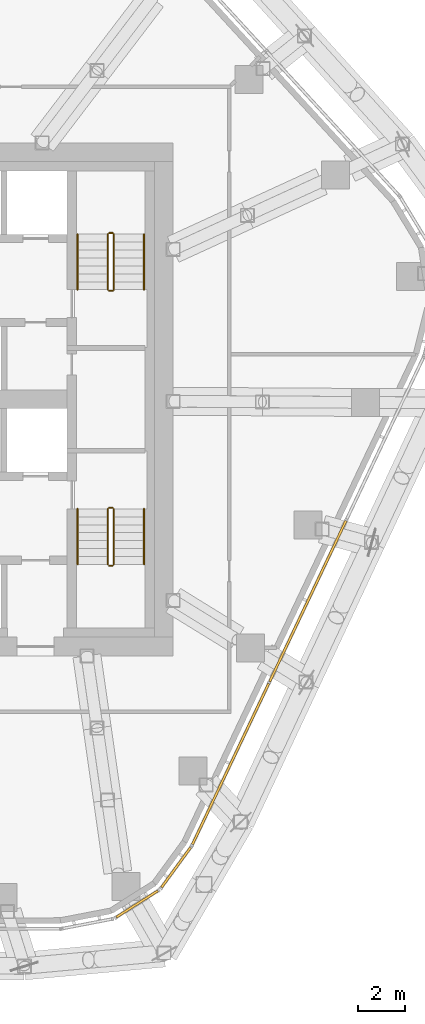
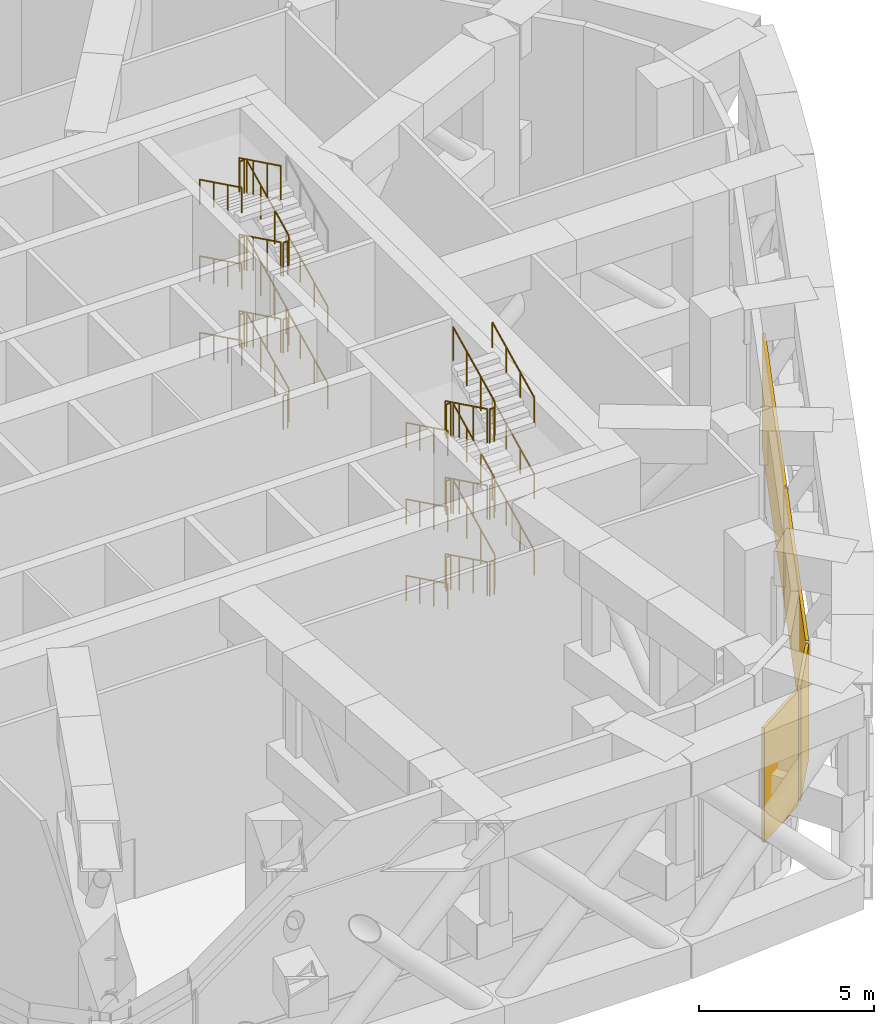
# One storey, part 20 of 21: 35 railings, 4 coverings, 2 elements without a shape of their own.
"""IFC4 building model written with IfcOpenShell, lengths in metres."""

from ifc_helpers import new_model, si_unit, direction, frame, origin, origin_2d, place, context, subcontext, project, spatial, rectangle, circle, extrude, material, layer, layer_set, type_object, element, aggregate, save


model = new_model("IFC4")

# Units and contexts
model_context = context("Model", 3, precision=1e-05, world=origin(), true_north=direction((0.0, 1.0)))
body_context = subcontext(model_context, "Body", "Model", "MODEL_VIEW")
ifc_project = project(units=[si_unit("LENGTHUNIT", "METRE"), si_unit("AREAUNIT", "SQUARE_METRE"), si_unit("VOLUMEUNIT", "CUBIC_METRE"), si_unit("PLANEANGLEUNIT", "RADIAN"), si_unit("MASSUNIT", "GRAM", prefix="KILO")], contexts=[model_context])

# Site, building, storey
site_placement = place(None, origin())
site = spatial("IfcSite", under=ifc_project, at=site_placement, CompositionType="ELEMENT")
building_placement = place(site_placement, origin())
building = spatial("IfcBuilding", under=site, at=building_placement, Name="Dongbaek Canopy Tower", CompositionType="ELEMENT")
storey_placement = place(building_placement, frame((0.0, 0.0, 220.60009765625)))
storey = spatial("IfcBuildingStorey", under=building, at=storey_placement, Name="L46", CompositionType="ELEMENT", Elevation=220.60009765625)

# Curtain wall, coverings
ifc_material_1 = material(Name="Aluminium 6063-T6 pale anodised", Category="aluminium")
ifc_layer_1 = layer(ifc_material_1, 0.14990234375)
ifc_layer_set_1 = layer_set([ifc_layer_1], Name="CW-7 louvre curtain wall")
curtain_wall_type = type_object("IfcCurtainWallType", Name="CW-7 louvre curtain wall", PredefinedType="NOTDEFINED", material=ifc_layer_set_1)
curtain_wall_1_placement = place(storey_placement, origin())
curtain_wall_1 = element("IfcCurtainWall", 1, at=curtain_wall_1_placement, inside=storey, type_object=curtain_wall_type, Name="CW-7 louvre wall L46 K5", PredefinedType="NOTDEFINED")
ifc_material_2 = material(Name="Aluminium 6063-T6 pale metal louvre blades", Category="aluminium")
ifc_layer_2 = layer(ifc_material_2, 0.10009765625)
ifc_layer_set_2 = layer_set([ifc_layer_2], Name="Louvre LV bank 100 x 4000")
covering_type = type_object("IfcCoveringType", Name="Louvre LV bank 100 x 4000", PredefinedType="CLADDING", material=ifc_layer_set_2)
covering_1_placement = place(storey_placement, frame((12.44970703125, -21.64306640625, 1.77490234375), z_axis=(0.0, 0.0, 1.0), x_axis=(0.844315490886, 0.535846388296, 0.0)))
covering_1 = element("IfcCovering", 2, at=covering_1_placement, type_object=covering_type, Name="Louvre L46 K5.2.1", PredefinedType="CLADDING", context=body_context, shape_type="SweptSolid", body=[
    extrude(rectangle(XDim=2.108642578125, YDim=0.10009765625, at=origin_2d()), origin(), (0.0, 0.0, 1.0), 4.0),
])
covering_2_placement = place(storey_placement, frame((14.123779296875, -20.072998046875, 1.77490234375), z_axis=(0.0, 0.0, 1.0), x_axis=(0.589427714231, 0.807821124814, 0.0)))
covering_2 = element("IfcCovering", 3, at=covering_2_placement, type_object=covering_type, Name="Louvre L46 K5.3.1", PredefinedType="CLADDING", context=body_context, shape_type="SweptSolid", body=[
    extrude(rectangle(XDim=2.1181640625, YDim=0.10009765625, at=origin_2d()), origin(), (0.0, 0.0, 1.0), 4.0),
])
aggregate(curtain_wall_1, [covering_1, covering_2])

curtain_wall_2_placement = place(storey_placement, origin())
curtain_wall_2 = element("IfcCurtainWall", 4, at=curtain_wall_2_placement, inside=storey, type_object=curtain_wall_type, Name="CW-7 louvre wall L46 F5", PredefinedType="NOTDEFINED")
covering_3_placement = place(storey_placement, frame((16.463134765625, -15.635498046875, 1.77490234375), z_axis=(0.0, 0.0, 1.0), x_axis=(0.428545293248, 0.903520299515, 0.0)))
covering_3 = element("IfcCovering", 5, at=covering_3_placement, type_object=covering_type, Name="Louvre L46 F5.1.1", PredefinedType="CLADDING", context=body_context, shape_type="SweptSolid", body=[
    extrude(rectangle(XDim=7.6337890625, YDim=0.10009765625, at=origin_2d()), origin(), (0.0, 0.0, 1.0), 4.0),
])
covering_4_placement = place(storey_placement, frame((19.77294921875, -8.656982421875, 1.77490234375), z_axis=(0.0, 0.0, 1.0), x_axis=(0.428545293248, 0.903520299515, 0.0)))
covering_4 = element("IfcCovering", 6, at=covering_4_placement, type_object=covering_type, Name="Louvre L46 F5.1.2", PredefinedType="CLADDING", context=body_context, shape_type="SweptSolid", body=[
    extrude(rectangle(XDim=7.6337890625, YDim=0.10009765625, at=origin_2d()), origin(), (0.0, 0.0, 1.0), 4.0),
])
aggregate(curtain_wall_2, [covering_3, covering_4])

# Railings
ifc_material_3 = material(Name="Stainless steel tube and balusters", Category="steel")
railing_type_1 = type_object("IfcRailingType", Name="Stair guard 1200", PredefinedType="GUARDRAIL", material=ifc_material_3)
railing_1_placement = place(storey_placement, frame((11.449951171875, 4.699951171875, 0.16650390625)))
element("IfcRailing", 7, at=railing_1_placement, inside=storey, type_object=railing_type_1, Name="L46 ST-A stair guard 1", PredefinedType="GUARDRAIL", context=body_context, shape_type="SweptSolid", body=[
    extrude(circle(Radius=0.02392578125, at=origin_2d()), frame((0.0, 0.0, 1.17578125), z_axis=(0.0, 0.897917867668, 0.440163041295), x_axis=(-1.0, 0.0, 0.0)), (0.0, 0.0, 1.0), 2.650634765625),
    extrude(circle(Radius=0.02099609375, at=origin_2d()), origin(), (0.0, 0.0, 1.0), 1.15185546875),
    extrude(circle(Radius=0.02099609375, at=origin_2d()), frame((0.0, 0.79345703125, 0.388916015625)), (0.0, 0.0, 1.0), 1.15185546875),
    extrude(circle(Radius=0.02099609375, at=origin_2d()), frame((0.0, 1.586669921875, 0.77783203125)), (0.0, 0.0, 1.0), 1.15185546875),
    extrude(circle(Radius=0.02099609375, at=origin_2d()), frame((0.0, 2.380126953125, 1.166748046875)), (0.0, 0.0, 1.0), 1.15185546875),
])
railing_2_placement = place(storey_placement, frame((11.39990234375, 7.1298828125, 1.333251953125)))
element("IfcRailing", 8, at=railing_2_placement, inside=storey, type_object=railing_type_1, Name="L46 ST-A stair guard 2", PredefinedType="GUARDRAIL", context=body_context, shape_type="SweptSolid", body=[
    extrude(circle(Radius=0.02392578125, at=origin_2d()), frame((0.0, 0.0, 1.17578125), z_axis=(-1.0, 0.0, 0.0), x_axis=(0.0, -1.0, 0.0)), (0.0, 0.0, 1.0), 0.14990234375),
    extrude(circle(Radius=0.02099609375, at=origin_2d()), origin(), (0.0, 0.0, 1.0), 1.15185546875),
    extrude(circle(Radius=0.02099609375, at=origin_2d()), frame((-0.14990234375, 0.0, 0.0)), (0.0, 0.0, 1.0), 1.15185546875),
])
railing_3_placement = place(storey_placement, frame((11.199951171875, 7.080078125, 1.5)))
element("IfcRailing", 9, at=railing_3_placement, inside=storey, type_object=railing_type_1, Name="L46 ST-A stair guard 3", PredefinedType="GUARDRAIL", context=body_context, shape_type="SweptSolid", body=[
    extrude(circle(Radius=0.02392578125, at=origin_2d()), frame((0.0, 0.0, 1.17578125), z_axis=(0.0, -0.897954268197, 0.440088777664), x_axis=(1.0, 0.0, 0.0)), (0.0, 0.0, 1.0), 2.650634765625),
    extrude(circle(Radius=0.02099609375, at=origin_2d()), origin(), (0.0, 0.0, 1.0), 1.15185546875),
    extrude(circle(Radius=0.02099609375, at=origin_2d()), frame((0.0, -0.79345703125, 0.388916015625)), (0.0, 0.0, 1.0), 1.15185546875),
    extrude(circle(Radius=0.02099609375, at=origin_2d()), frame((0.0, -1.586669921875, 0.777587890625)), (0.0, 0.0, 1.0), 1.15185546875),
    extrude(circle(Radius=0.02099609375, at=origin_2d()), frame((0.0, -2.380126953125, 1.16650390625)), (0.0, 0.0, 1.0), 1.15185546875),
])
railing_4_placement = place(storey_placement, frame((11.39990234375, 4.64990234375, 2.66650390625)))
element("IfcRailing", 10, at=railing_4_placement, inside=storey, type_object=railing_type_1, Name="L46 ST-A stair guard 4", PredefinedType="GUARDRAIL", context=body_context, shape_type="SweptSolid", body=[
    extrude(circle(Radius=0.02392578125, at=origin_2d()), frame((0.0, 0.0, 1.17578125), z_axis=(-1.0, 0.0, 0.0), x_axis=(0.0, -1.0, 0.0)), (0.0, 0.0, 1.0), 0.14990234375),
    extrude(circle(Radius=0.02099609375, at=origin_2d()), origin(), (0.0, 0.0, 1.0), 1.15185546875),
    extrude(circle(Radius=0.02099609375, at=origin_2d()), frame((-0.14990234375, 0.0, 0.0)), (0.0, 0.0, 1.0), 1.15185546875),
])
railing_5_placement = place(storey_placement, frame((11.449951171875, 4.699951171875, 2.833251953125)))
element("IfcRailing", 11, at=railing_5_placement, inside=storey, type_object=railing_type_1, Name="L46 ST-A stair guard 5", PredefinedType="GUARDRAIL", context=body_context, shape_type="SweptSolid", body=[
    extrude(circle(Radius=0.02392578125, at=origin_2d()), frame((0.0, 0.0, 1.17578125), z_axis=(0.0, 0.897917867668, 0.440163041295), x_axis=(-1.0, 0.0, 0.0)), (0.0, 0.0, 1.0), 2.650634765625),
    extrude(circle(Radius=0.02099609375, at=origin_2d()), origin(), (0.0, 0.0, 1.0), 1.15185546875),
    extrude(circle(Radius=0.02099609375, at=origin_2d()), frame((0.0, 0.79345703125, 0.388916015625)), (0.0, 0.0, 1.0), 1.15185546875),
    extrude(circle(Radius=0.02099609375, at=origin_2d()), frame((0.0, 1.586669921875, 0.77783203125)), (0.0, 0.0, 1.0), 1.15185546875),
    extrude(circle(Radius=0.02099609375, at=origin_2d()), frame((0.0, 2.380126953125, 1.166748046875)), (0.0, 0.0, 1.0), 1.15185546875),
])
railing_6_placement = place(storey_placement, frame((11.39990234375, 7.1298828125, 4.0)))
element("IfcRailing", 12, at=railing_6_placement, inside=storey, type_object=railing_type_1, Name="L46 ST-A stair guard 6", PredefinedType="GUARDRAIL", context=body_context, shape_type="SweptSolid", body=[
    extrude(circle(Radius=0.02392578125, at=origin_2d()), frame((0.0, 0.0, 1.17578125), z_axis=(-1.0, 0.0, 0.0), x_axis=(0.0, -1.0, 0.0)), (0.0, 0.0, 1.0), 0.14990234375),
    extrude(circle(Radius=0.02099609375, at=origin_2d()), origin(), (0.0, 0.0, 1.0), 1.15185546875),
    extrude(circle(Radius=0.02099609375, at=origin_2d()), frame((-0.14990234375, 0.0, 0.0)), (0.0, 0.0, 1.0), 1.15185546875),
])
railing_7_placement = place(storey_placement, frame((11.199951171875, 7.080078125, 4.16650390625)))
element("IfcRailing", 13, at=railing_7_placement, inside=storey, type_object=railing_type_1, Name="L46 ST-A stair guard 7", PredefinedType="GUARDRAIL", context=body_context, shape_type="SweptSolid", body=[
    extrude(circle(Radius=0.02392578125, at=origin_2d()), frame((0.0, 0.0, 1.17578125), z_axis=(0.0, -0.897917867668, 0.440163041295), x_axis=(1.0, 0.0, 0.0)), (0.0, 0.0, 1.0), 2.650634765625),
    extrude(circle(Radius=0.02099609375, at=origin_2d()), origin(), (0.0, 0.0, 1.0), 1.15185546875),
    extrude(circle(Radius=0.02099609375, at=origin_2d()), frame((0.0, -0.79345703125, 0.388916015625)), (0.0, 0.0, 1.0), 1.15185546875),
    extrude(circle(Radius=0.02099609375, at=origin_2d()), frame((0.0, -1.586669921875, 0.77783203125)), (0.0, 0.0, 1.0), 1.15185546875),
    extrude(circle(Radius=0.02099609375, at=origin_2d()), frame((0.0, -2.380126953125, 1.166748046875)), (0.0, 0.0, 1.0), 1.15185546875),
])
railing_8_placement = place(storey_placement, frame((11.39990234375, 4.64990234375, 5.333251953125)))
element("IfcRailing", 14, at=railing_8_placement, inside=storey, type_object=railing_type_1, Name="L46 ST-A stair guard 8", PredefinedType="GUARDRAIL", context=body_context, shape_type="SweptSolid", body=[
    extrude(circle(Radius=0.02392578125, at=origin_2d()), frame((0.0, 0.0, 1.17578125), z_axis=(-1.0, 0.0, 0.0), x_axis=(0.0, -1.0, 0.0)), (0.0, 0.0, 1.0), 0.14990234375),
    extrude(circle(Radius=0.02099609375, at=origin_2d()), origin(), (0.0, 0.0, 1.0), 1.15185546875),
    extrude(circle(Radius=0.02099609375, at=origin_2d()), frame((-0.14990234375, 0.0, 0.0)), (0.0, 0.0, 1.0), 1.15185546875),
])
railing_9_placement = place(storey_placement, frame((11.449951171875, 4.699951171875, 5.5)))
element("IfcRailing", 15, at=railing_9_placement, inside=storey, type_object=railing_type_1, Name="L46 ST-A stair guard 9", PredefinedType="GUARDRAIL", context=body_context, shape_type="SweptSolid", body=[
    extrude(circle(Radius=0.02392578125, at=origin_2d()), frame((0.0, 0.0, 1.17578125), z_axis=(0.0, 0.897954268197, 0.440088777664), x_axis=(-1.0, 0.0, 0.0)), (0.0, 0.0, 1.0), 2.650634765625),
    extrude(circle(Radius=0.02099609375, at=origin_2d()), origin(), (0.0, 0.0, 1.0), 1.15185546875),
    extrude(circle(Radius=0.02099609375, at=origin_2d()), frame((0.0, 0.79345703125, 0.388916015625)), (0.0, 0.0, 1.0), 1.15185546875),
    extrude(circle(Radius=0.02099609375, at=origin_2d()), frame((0.0, 1.586669921875, 0.777587890625)), (0.0, 0.0, 1.0), 1.15185546875),
    extrude(circle(Radius=0.02099609375, at=origin_2d()), frame((0.0, 2.380126953125, 1.16650390625)), (0.0, 0.0, 1.0), 1.15185546875),
])
railing_10_placement = place(storey_placement, frame((11.39990234375, 7.1298828125, 6.66650390625)))
element("IfcRailing", 16, at=railing_10_placement, inside=storey, type_object=railing_type_1, Name="L46 ST-A stair guard 10", PredefinedType="GUARDRAIL", context=body_context, shape_type="SweptSolid", body=[
    extrude(circle(Radius=0.02392578125, at=origin_2d()), frame((0.0, 0.0, 1.17578125), z_axis=(-1.0, 0.0, 0.0), x_axis=(0.0, -1.0, 0.0)), (0.0, 0.0, 1.0), 0.14990234375),
    extrude(circle(Radius=0.02099609375, at=origin_2d()), origin(), (0.0, 0.0, 1.0), 1.15185546875),
    extrude(circle(Radius=0.02099609375, at=origin_2d()), frame((-0.14990234375, 0.0, 0.0)), (0.0, 0.0, 1.0), 1.15185546875),
])
railing_11_placement = place(storey_placement, frame((11.199951171875, 7.080078125, 6.833251953125)))
element("IfcRailing", 17, at=railing_11_placement, inside=storey, type_object=railing_type_1, Name="L46 ST-A stair guard 11", PredefinedType="GUARDRAIL", context=body_context, shape_type="SweptSolid", body=[
    extrude(circle(Radius=0.02392578125, at=origin_2d()), frame((0.0, 0.0, 1.17578125), z_axis=(0.0, -0.897917867668, 0.440163041295), x_axis=(1.0, 0.0, 0.0)), (0.0, 0.0, 1.0), 2.650634765625),
    extrude(circle(Radius=0.02099609375, at=origin_2d()), origin(), (0.0, 0.0, 1.0), 1.15185546875),
    extrude(circle(Radius=0.02099609375, at=origin_2d()), frame((0.0, -0.79345703125, 0.388916015625)), (0.0, 0.0, 1.0), 1.15185546875),
    extrude(circle(Radius=0.02099609375, at=origin_2d()), frame((0.0, -1.586669921875, 0.77783203125)), (0.0, 0.0, 1.0), 1.15185546875),
    extrude(circle(Radius=0.02099609375, at=origin_2d()), frame((0.0, -2.380126953125, 1.166748046875)), (0.0, 0.0, 1.0), 1.15185546875),
])
railing_12_placement = place(storey_placement, frame((11.39990234375, 4.64990234375, 0.0)))
element("IfcRailing", 18, at=railing_12_placement, inside=storey, type_object=railing_type_1, Name="L46 ST-A stair guard 12", PredefinedType="GUARDRAIL", context=body_context, shape_type="SweptSolid", body=[
    extrude(circle(Radius=0.02392578125, at=origin_2d()), frame((0.0, 0.0, 1.17578125), z_axis=(-1.0, 0.0, 0.0), x_axis=(0.0, -1.0, 0.0)), (0.0, 0.0, 1.0), 0.14990234375),
    extrude(circle(Radius=0.02099609375, at=origin_2d()), origin(), (0.0, 0.0, 1.0), 1.15185546875),
    extrude(circle(Radius=0.02099609375, at=origin_2d()), frame((-0.14990234375, 0.0, 0.0)), (0.0, 0.0, 1.0), 1.15185546875),
])
railing_13_placement = place(storey_placement, frame((11.199951171875, -4.699951171875, 0.16650390625)))
element("IfcRailing", 19, at=railing_13_placement, inside=storey, type_object=railing_type_1, Name="L46 ST-B stair guard 1", PredefinedType="GUARDRAIL", context=body_context, shape_type="SweptSolid", body=[
    extrude(circle(Radius=0.02392578125, at=origin_2d()), frame((0.0, 0.0, 1.17578125), z_axis=(0.0, -0.897917867668, 0.440163041295), x_axis=(1.0, 0.0, 0.0)), (0.0, 0.0, 1.0), 2.650634765625),
    extrude(circle(Radius=0.02099609375, at=origin_2d()), origin(), (0.0, 0.0, 1.0), 1.15185546875),
    extrude(circle(Radius=0.02099609375, at=origin_2d()), frame((0.0, -0.79345703125, 0.388916015625)), (0.0, 0.0, 1.0), 1.15185546875),
    extrude(circle(Radius=0.02099609375, at=origin_2d()), frame((0.0, -1.586669921875, 0.77783203125)), (0.0, 0.0, 1.0), 1.15185546875),
    extrude(circle(Radius=0.02099609375, at=origin_2d()), frame((0.0, -2.380126953125, 1.166748046875)), (0.0, 0.0, 1.0), 1.15185546875),
])
railing_14_placement = place(storey_placement, frame((11.25, -7.1298828125, 1.333251953125)))
element("IfcRailing", 20, at=railing_14_placement, inside=storey, type_object=railing_type_1, Name="L46 ST-B stair guard 2", PredefinedType="GUARDRAIL", context=body_context, shape_type="SweptSolid", body=[
    extrude(circle(Radius=0.02392578125, at=origin_2d()), frame((0.0, 0.0, 1.17578125), z_axis=(1.0, 0.0, 0.0), x_axis=(0.0, 1.0, 0.0)), (0.0, 0.0, 1.0), 0.14990234375),
    extrude(circle(Radius=0.02099609375, at=origin_2d()), origin(), (0.0, 0.0, 1.0), 1.15185546875),
    extrude(circle(Radius=0.02099609375, at=origin_2d()), frame((0.14990234375, 0.0, 0.0)), (0.0, 0.0, 1.0), 1.15185546875),
])
railing_15_placement = place(storey_placement, frame((11.449951171875, -7.080078125, 1.5)))
element("IfcRailing", 21, at=railing_15_placement, inside=storey, type_object=railing_type_1, Name="L46 ST-B stair guard 3", PredefinedType="GUARDRAIL", context=body_context, shape_type="SweptSolid", body=[
    extrude(circle(Radius=0.02392578125, at=origin_2d()), frame((0.0, 0.0, 1.17578125), z_axis=(0.0, 0.897954268197, 0.440088777664), x_axis=(-1.0, 0.0, 0.0)), (0.0, 0.0, 1.0), 2.650634765625),
    extrude(circle(Radius=0.02099609375, at=origin_2d()), origin(), (0.0, 0.0, 1.0), 1.15185546875),
    extrude(circle(Radius=0.02099609375, at=origin_2d()), frame((0.0, 0.79345703125, 0.388916015625)), (0.0, 0.0, 1.0), 1.15185546875),
    extrude(circle(Radius=0.02099609375, at=origin_2d()), frame((0.0, 1.586669921875, 0.777587890625)), (0.0, 0.0, 1.0), 1.15185546875),
    extrude(circle(Radius=0.02099609375, at=origin_2d()), frame((0.0, 2.380126953125, 1.16650390625)), (0.0, 0.0, 1.0), 1.15185546875),
])
railing_16_placement = place(storey_placement, frame((11.25, -4.64990234375, 2.66650390625)))
element("IfcRailing", 22, at=railing_16_placement, inside=storey, type_object=railing_type_1, Name="L46 ST-B stair guard 4", PredefinedType="GUARDRAIL", context=body_context, shape_type="SweptSolid", body=[
    extrude(circle(Radius=0.02392578125, at=origin_2d()), frame((0.0, 0.0, 1.17578125), z_axis=(1.0, 0.0, 0.0), x_axis=(0.0, 1.0, 0.0)), (0.0, 0.0, 1.0), 0.14990234375),
    extrude(circle(Radius=0.02099609375, at=origin_2d()), origin(), (0.0, 0.0, 1.0), 1.15185546875),
    extrude(circle(Radius=0.02099609375, at=origin_2d()), frame((0.14990234375, 0.0, 0.0)), (0.0, 0.0, 1.0), 1.15185546875),
])
railing_17_placement = place(storey_placement, frame((11.199951171875, -4.699951171875, 2.833251953125)))
element("IfcRailing", 23, at=railing_17_placement, inside=storey, type_object=railing_type_1, Name="L46 ST-B stair guard 5", PredefinedType="GUARDRAIL", context=body_context, shape_type="SweptSolid", body=[
    extrude(circle(Radius=0.02392578125, at=origin_2d()), frame((0.0, 0.0, 1.17578125), z_axis=(0.0, -0.897917867668, 0.440163041295), x_axis=(1.0, 0.0, 0.0)), (0.0, 0.0, 1.0), 2.650634765625),
    extrude(circle(Radius=0.02099609375, at=origin_2d()), origin(), (0.0, 0.0, 1.0), 1.15185546875),
    extrude(circle(Radius=0.02099609375, at=origin_2d()), frame((0.0, -0.79345703125, 0.388916015625)), (0.0, 0.0, 1.0), 1.15185546875),
    extrude(circle(Radius=0.02099609375, at=origin_2d()), frame((0.0, -1.586669921875, 0.77783203125)), (0.0, 0.0, 1.0), 1.15185546875),
    extrude(circle(Radius=0.02099609375, at=origin_2d()), frame((0.0, -2.380126953125, 1.166748046875)), (0.0, 0.0, 1.0), 1.15185546875),
])
railing_18_placement = place(storey_placement, frame((11.25, -7.1298828125, 4.0)))
element("IfcRailing", 24, at=railing_18_placement, inside=storey, type_object=railing_type_1, Name="L46 ST-B stair guard 6", PredefinedType="GUARDRAIL", context=body_context, shape_type="SweptSolid", body=[
    extrude(circle(Radius=0.02392578125, at=origin_2d()), frame((0.0, 0.0, 1.17578125), z_axis=(1.0, 0.0, 0.0), x_axis=(0.0, 1.0, 0.0)), (0.0, 0.0, 1.0), 0.14990234375),
    extrude(circle(Radius=0.02099609375, at=origin_2d()), origin(), (0.0, 0.0, 1.0), 1.15185546875),
    extrude(circle(Radius=0.02099609375, at=origin_2d()), frame((0.14990234375, 0.0, 0.0)), (0.0, 0.0, 1.0), 1.15185546875),
])
railing_19_placement = place(storey_placement, frame((11.449951171875, -7.080078125, 4.16650390625)))
element("IfcRailing", 25, at=railing_19_placement, inside=storey, type_object=railing_type_1, Name="L46 ST-B stair guard 7", PredefinedType="GUARDRAIL", context=body_context, shape_type="SweptSolid", body=[
    extrude(circle(Radius=0.02392578125, at=origin_2d()), frame((0.0, 0.0, 1.17578125), z_axis=(0.0, 0.897917867668, 0.440163041295), x_axis=(-1.0, 0.0, 0.0)), (0.0, 0.0, 1.0), 2.650634765625),
    extrude(circle(Radius=0.02099609375, at=origin_2d()), origin(), (0.0, 0.0, 1.0), 1.15185546875),
    extrude(circle(Radius=0.02099609375, at=origin_2d()), frame((0.0, 0.79345703125, 0.388916015625)), (0.0, 0.0, 1.0), 1.15185546875),
    extrude(circle(Radius=0.02099609375, at=origin_2d()), frame((0.0, 1.586669921875, 0.77783203125)), (0.0, 0.0, 1.0), 1.15185546875),
    extrude(circle(Radius=0.02099609375, at=origin_2d()), frame((0.0, 2.380126953125, 1.166748046875)), (0.0, 0.0, 1.0), 1.15185546875),
])
railing_20_placement = place(storey_placement, frame((11.25, -4.64990234375, 5.333251953125)))
element("IfcRailing", 26, at=railing_20_placement, inside=storey, type_object=railing_type_1, Name="L46 ST-B stair guard 8", PredefinedType="GUARDRAIL", context=body_context, shape_type="SweptSolid", body=[
    extrude(circle(Radius=0.02392578125, at=origin_2d()), frame((0.0, 0.0, 1.17578125), z_axis=(1.0, 0.0, 0.0), x_axis=(0.0, 1.0, 0.0)), (0.0, 0.0, 1.0), 0.14990234375),
    extrude(circle(Radius=0.02099609375, at=origin_2d()), origin(), (0.0, 0.0, 1.0), 1.15185546875),
    extrude(circle(Radius=0.02099609375, at=origin_2d()), frame((0.14990234375, 0.0, 0.0)), (0.0, 0.0, 1.0), 1.15185546875),
])
railing_21_placement = place(storey_placement, frame((11.199951171875, -4.699951171875, 5.5)))
element("IfcRailing", 27, at=railing_21_placement, inside=storey, type_object=railing_type_1, Name="L46 ST-B stair guard 9", PredefinedType="GUARDRAIL", context=body_context, shape_type="SweptSolid", body=[
    extrude(circle(Radius=0.02392578125, at=origin_2d()), frame((0.0, 0.0, 1.17578125), z_axis=(0.0, -0.897954268197, 0.440088777664), x_axis=(1.0, 0.0, 0.0)), (0.0, 0.0, 1.0), 2.650634765625),
    extrude(circle(Radius=0.02099609375, at=origin_2d()), origin(), (0.0, 0.0, 1.0), 1.15185546875),
    extrude(circle(Radius=0.02099609375, at=origin_2d()), frame((0.0, -0.79345703125, 0.388916015625)), (0.0, 0.0, 1.0), 1.15185546875),
    extrude(circle(Radius=0.02099609375, at=origin_2d()), frame((0.0, -1.586669921875, 0.777587890625)), (0.0, 0.0, 1.0), 1.15185546875),
    extrude(circle(Radius=0.02099609375, at=origin_2d()), frame((0.0, -2.380126953125, 1.16650390625)), (0.0, 0.0, 1.0), 1.15185546875),
])
railing_22_placement = place(storey_placement, frame((11.25, -7.1298828125, 6.66650390625)))
element("IfcRailing", 28, at=railing_22_placement, inside=storey, type_object=railing_type_1, Name="L46 ST-B stair guard 10", PredefinedType="GUARDRAIL", context=body_context, shape_type="SweptSolid", body=[
    extrude(circle(Radius=0.02392578125, at=origin_2d()), frame((0.0, 0.0, 1.17578125), z_axis=(1.0, 0.0, 0.0), x_axis=(0.0, 1.0, 0.0)), (0.0, 0.0, 1.0), 0.14990234375),
    extrude(circle(Radius=0.02099609375, at=origin_2d()), origin(), (0.0, 0.0, 1.0), 1.15185546875),
    extrude(circle(Radius=0.02099609375, at=origin_2d()), frame((0.14990234375, 0.0, 0.0)), (0.0, 0.0, 1.0), 1.15185546875),
])
railing_23_placement = place(storey_placement, frame((11.449951171875, -7.080078125, 6.833251953125)))
element("IfcRailing", 29, at=railing_23_placement, inside=storey, type_object=railing_type_1, Name="L46 ST-B stair guard 11", PredefinedType="GUARDRAIL", context=body_context, shape_type="SweptSolid", body=[
    extrude(circle(Radius=0.02392578125, at=origin_2d()), frame((0.0, 0.0, 1.17578125), z_axis=(0.0, 0.897917867668, 0.440163041295), x_axis=(-1.0, 0.0, 0.0)), (0.0, 0.0, 1.0), 2.650634765625),
    extrude(circle(Radius=0.02099609375, at=origin_2d()), origin(), (0.0, 0.0, 1.0), 1.15185546875),
    extrude(circle(Radius=0.02099609375, at=origin_2d()), frame((0.0, 0.79345703125, 0.388916015625)), (0.0, 0.0, 1.0), 1.15185546875),
    extrude(circle(Radius=0.02099609375, at=origin_2d()), frame((0.0, 1.586669921875, 0.77783203125)), (0.0, 0.0, 1.0), 1.15185546875),
    extrude(circle(Radius=0.02099609375, at=origin_2d()), frame((0.0, 2.380126953125, 1.166748046875)), (0.0, 0.0, 1.0), 1.15185546875),
])
railing_24_placement = place(storey_placement, frame((11.25, -4.64990234375, 0.0)))
element("IfcRailing", 30, at=railing_24_placement, inside=storey, type_object=railing_type_1, Name="L46 ST-B stair guard 12", PredefinedType="GUARDRAIL", context=body_context, shape_type="SweptSolid", body=[
    extrude(circle(Radius=0.02392578125, at=origin_2d()), frame((0.0, 0.0, 1.17578125), z_axis=(1.0, 0.0, 0.0), x_axis=(0.0, 1.0, 0.0)), (0.0, 0.0, 1.0), 0.14990234375),
    extrude(circle(Radius=0.02099609375, at=origin_2d()), origin(), (0.0, 0.0, 1.0), 1.15185546875),
    extrude(circle(Radius=0.02099609375, at=origin_2d()), frame((0.14990234375, 0.0, 0.0)), (0.0, 0.0, 1.0), 1.15185546875),
])
ifc_material_4 = material(Name="Stainless steel tube", Category="steel")
railing_type_2 = type_object("IfcRailingType", Name="Stair handrail 900", PredefinedType="HANDRAIL", material=ifc_material_4)
railing_25_placement = place(storey_placement, frame((12.75, 4.699951171875, 0.16650390625)))
element("IfcRailing", 31, at=railing_25_placement, inside=storey, type_object=railing_type_2, Name="L46 ST-A stair handrail 1", PredefinedType="HANDRAIL", context=body_context, shape_type="SweptSolid", body=[
    extrude(circle(Radius=0.02392578125, at=origin_2d()), frame((0.0, 0.0, 0.8759765625), z_axis=(0.0, 0.897917867668, 0.440163041295), x_axis=(-1.0, 0.0, 0.0)), (0.0, 0.0, 1.0), 2.650634765625),
    extrude(circle(Radius=0.02099609375, at=origin_2d()), origin(), (0.0, 0.0, 1.0), 0.851806640625),
    extrude(circle(Radius=0.02099609375, at=origin_2d()), frame((0.0, 0.79345703125, 0.388916015625)), (0.0, 0.0, 1.0), 0.851806640625),
    extrude(circle(Radius=0.02099609375, at=origin_2d()), frame((0.0, 1.586669921875, 0.77783203125)), (0.0, 0.0, 1.0), 0.851806640625),
    extrude(circle(Radius=0.02099609375, at=origin_2d()), frame((0.0, 2.380126953125, 1.166748046875)), (0.0, 0.0, 1.0), 0.851806640625),
])
railing_26_placement = place(storey_placement, frame((9.89990234375, 7.080078125, 1.5)))
element("IfcRailing", 32, at=railing_26_placement, inside=storey, type_object=railing_type_2, Name="L46 ST-A stair handrail 2", PredefinedType="HANDRAIL", context=body_context, shape_type="SweptSolid", body=[
    extrude(circle(Radius=0.02392578125, at=origin_2d()), frame((0.0, 0.0, 0.8759765625), z_axis=(0.0, -0.897954268197, 0.440088777664), x_axis=(1.0, 0.0, 0.0)), (0.0, 0.0, 1.0), 2.650634765625),
    extrude(circle(Radius=0.02099609375, at=origin_2d()), origin(), (0.0, 0.0, 1.0), 0.851806640625),
    extrude(circle(Radius=0.02099609375, at=origin_2d()), frame((0.0, -0.79345703125, 0.388916015625)), (0.0, 0.0, 1.0), 0.851806640625),
    extrude(circle(Radius=0.02099609375, at=origin_2d()), frame((0.0, -1.586669921875, 0.777587890625)), (0.0, 0.0, 1.0), 0.851806640625),
    extrude(circle(Radius=0.02099609375, at=origin_2d()), frame((0.0, -2.380126953125, 1.16650390625)), (0.0, 0.0, 1.0), 0.851806640625),
])
railing_27_placement = place(storey_placement, frame((12.75, 4.699951171875, 2.833251953125)))
element("IfcRailing", 33, at=railing_27_placement, inside=storey, type_object=railing_type_2, Name="L46 ST-A stair handrail 3", PredefinedType="HANDRAIL", context=body_context, shape_type="SweptSolid", body=[
    extrude(circle(Radius=0.02392578125, at=origin_2d()), frame((0.0, 0.0, 0.8759765625), z_axis=(0.0, 0.897917867668, 0.440163041295), x_axis=(-1.0, 0.0, 0.0)), (0.0, 0.0, 1.0), 2.650634765625),
    extrude(circle(Radius=0.02099609375, at=origin_2d()), origin(), (0.0, 0.0, 1.0), 0.851806640625),
    extrude(circle(Radius=0.02099609375, at=origin_2d()), frame((0.0, 0.79345703125, 0.388916015625)), (0.0, 0.0, 1.0), 0.851806640625),
    extrude(circle(Radius=0.02099609375, at=origin_2d()), frame((0.0, 1.586669921875, 0.77783203125)), (0.0, 0.0, 1.0), 0.851806640625),
    extrude(circle(Radius=0.02099609375, at=origin_2d()), frame((0.0, 2.380126953125, 1.166748046875)), (0.0, 0.0, 1.0), 0.851806640625),
])
for number, where, name in (
    (34, (9.89990234375, 7.080078125, 4.16650390625), "L46 ST-A stair handrail 4"),
    (35, (9.89990234375, 7.080078125, 6.833251953125), "L46 ST-A stair handrail 6"),
    (36, (9.89990234375, -4.699951171875, 0.16650390625), "L46 ST-B stair handrail 1"),
):
    element("IfcRailing", number, at=place(storey_placement, frame(where)), inside=storey, type_object=railing_type_2, Name=name, PredefinedType="HANDRAIL", context=body_context, shape_type="SweptSolid", body=[
        extrude(circle(Radius=0.02392578125, at=origin_2d()), frame((0.0, 0.0, 0.8759765625), z_axis=(0.0, -0.897917867668, 0.440163041295), x_axis=(1.0, 0.0, 0.0)), (0.0, 0.0, 1.0), 2.650634765625),
        extrude(circle(Radius=0.02099609375, at=origin_2d()), origin(), (0.0, 0.0, 1.0), 0.851806640625),
        extrude(circle(Radius=0.02099609375, at=origin_2d()), frame((0.0, -0.79345703125, 0.388916015625)), (0.0, 0.0, 1.0), 0.851806640625),
        extrude(circle(Radius=0.02099609375, at=origin_2d()), frame((0.0, -1.586669921875, 0.77783203125)), (0.0, 0.0, 1.0), 0.851806640625),
        extrude(circle(Radius=0.02099609375, at=origin_2d()), frame((0.0, -2.380126953125, 1.166748046875)), (0.0, 0.0, 1.0), 0.851806640625),
    ])
railing_28_placement = place(storey_placement, frame((12.75, -7.080078125, 1.5)))
element("IfcRailing", 37, at=railing_28_placement, inside=storey, type_object=railing_type_2, Name="L46 ST-B stair handrail 2", PredefinedType="HANDRAIL", context=body_context, shape_type="SweptSolid", body=[
    extrude(circle(Radius=0.02392578125, at=origin_2d()), frame((0.0, 0.0, 0.8759765625), z_axis=(0.0, 0.897954268197, 0.440088777664), x_axis=(-1.0, 0.0, 0.0)), (0.0, 0.0, 1.0), 2.650634765625),
    extrude(circle(Radius=0.02099609375, at=origin_2d()), origin(), (0.0, 0.0, 1.0), 0.851806640625),
    extrude(circle(Radius=0.02099609375, at=origin_2d()), frame((0.0, 0.79345703125, 0.388916015625)), (0.0, 0.0, 1.0), 0.851806640625),
    extrude(circle(Radius=0.02099609375, at=origin_2d()), frame((0.0, 1.586669921875, 0.777587890625)), (0.0, 0.0, 1.0), 0.851806640625),
    extrude(circle(Radius=0.02099609375, at=origin_2d()), frame((0.0, 2.380126953125, 1.16650390625)), (0.0, 0.0, 1.0), 0.851806640625),
])
railing_29_placement = place(storey_placement, frame((9.89990234375, -4.699951171875, 2.833251953125)))
element("IfcRailing", 38, at=railing_29_placement, inside=storey, type_object=railing_type_2, Name="L46 ST-B stair handrail 3", PredefinedType="HANDRAIL", context=body_context, shape_type="SweptSolid", body=[
    extrude(circle(Radius=0.02392578125, at=origin_2d()), frame((0.0, 0.0, 0.8759765625), z_axis=(0.0, -0.897917867668, 0.440163041295), x_axis=(1.0, 0.0, 0.0)), (0.0, 0.0, 1.0), 2.650634765625),
    extrude(circle(Radius=0.02099609375, at=origin_2d()), origin(), (0.0, 0.0, 1.0), 0.851806640625),
    extrude(circle(Radius=0.02099609375, at=origin_2d()), frame((0.0, -0.79345703125, 0.388916015625)), (0.0, 0.0, 1.0), 0.851806640625),
    extrude(circle(Radius=0.02099609375, at=origin_2d()), frame((0.0, -1.586669921875, 0.77783203125)), (0.0, 0.0, 1.0), 0.851806640625),
    extrude(circle(Radius=0.02099609375, at=origin_2d()), frame((0.0, -2.380126953125, 1.166748046875)), (0.0, 0.0, 1.0), 0.851806640625),
])
railing_30_placement = place(storey_placement, frame((12.75, -7.080078125, 4.16650390625)))
element("IfcRailing", 39, at=railing_30_placement, inside=storey, type_object=railing_type_2, Name="L46 ST-B stair handrail 4", PredefinedType="HANDRAIL", context=body_context, shape_type="SweptSolid", body=[
    extrude(circle(Radius=0.02392578125, at=origin_2d()), frame((0.0, 0.0, 0.8759765625), z_axis=(0.0, 0.897917867668, 0.440163041295), x_axis=(-1.0, 0.0, 0.0)), (0.0, 0.0, 1.0), 2.650634765625),
    extrude(circle(Radius=0.02099609375, at=origin_2d()), origin(), (0.0, 0.0, 1.0), 0.851806640625),
    extrude(circle(Radius=0.02099609375, at=origin_2d()), frame((0.0, 0.79345703125, 0.388916015625)), (0.0, 0.0, 1.0), 0.851806640625),
    extrude(circle(Radius=0.02099609375, at=origin_2d()), frame((0.0, 1.586669921875, 0.77783203125)), (0.0, 0.0, 1.0), 0.851806640625),
    extrude(circle(Radius=0.02099609375, at=origin_2d()), frame((0.0, 2.380126953125, 1.166748046875)), (0.0, 0.0, 1.0), 0.851806640625),
])
railing_31_placement = place(storey_placement, frame((9.89990234375, -4.699951171875, 5.5)))
element("IfcRailing", 40, at=railing_31_placement, inside=storey, type_object=railing_type_2, Name="L46 ST-B stair handrail 5", PredefinedType="HANDRAIL", context=body_context, shape_type="SweptSolid", body=[
    extrude(circle(Radius=0.02392578125, at=origin_2d()), frame((0.0, 0.0, 0.8759765625), z_axis=(0.0, -0.897954268197, 0.440088777664), x_axis=(1.0, 0.0, 0.0)), (0.0, 0.0, 1.0), 2.650634765625),
    extrude(circle(Radius=0.02099609375, at=origin_2d()), origin(), (0.0, 0.0, 1.0), 0.851806640625),
    extrude(circle(Radius=0.02099609375, at=origin_2d()), frame((0.0, -0.79345703125, 0.388916015625)), (0.0, 0.0, 1.0), 0.851806640625),
    extrude(circle(Radius=0.02099609375, at=origin_2d()), frame((0.0, -1.586669921875, 0.777587890625)), (0.0, 0.0, 1.0), 0.851806640625),
    extrude(circle(Radius=0.02099609375, at=origin_2d()), frame((0.0, -2.380126953125, 1.16650390625)), (0.0, 0.0, 1.0), 0.851806640625),
])
railing_32_placement = place(storey_placement, frame((12.75, -7.080078125, 6.833251953125)))
element("IfcRailing", 41, at=railing_32_placement, inside=storey, type_object=railing_type_2, Name="L46 ST-B stair handrail 6", PredefinedType="HANDRAIL", context=body_context, shape_type="SweptSolid", body=[
    extrude(circle(Radius=0.02392578125, at=origin_2d()), frame((0.0, 0.0, 0.8759765625), z_axis=(0.0, 0.897917867668, 0.440163041295), x_axis=(-1.0, 0.0, 0.0)), (0.0, 0.0, 1.0), 2.650634765625),
    extrude(circle(Radius=0.02099609375, at=origin_2d()), origin(), (0.0, 0.0, 1.0), 0.851806640625),
    extrude(circle(Radius=0.02099609375, at=origin_2d()), frame((0.0, 0.79345703125, 0.388916015625)), (0.0, 0.0, 1.0), 0.851806640625),
    extrude(circle(Radius=0.02099609375, at=origin_2d()), frame((0.0, 1.586669921875, 0.77783203125)), (0.0, 0.0, 1.0), 0.851806640625),
    extrude(circle(Radius=0.02099609375, at=origin_2d()), frame((0.0, 2.380126953125, 1.166748046875)), (0.0, 0.0, 1.0), 0.851806640625),
])

save(model, "model.ifc")
